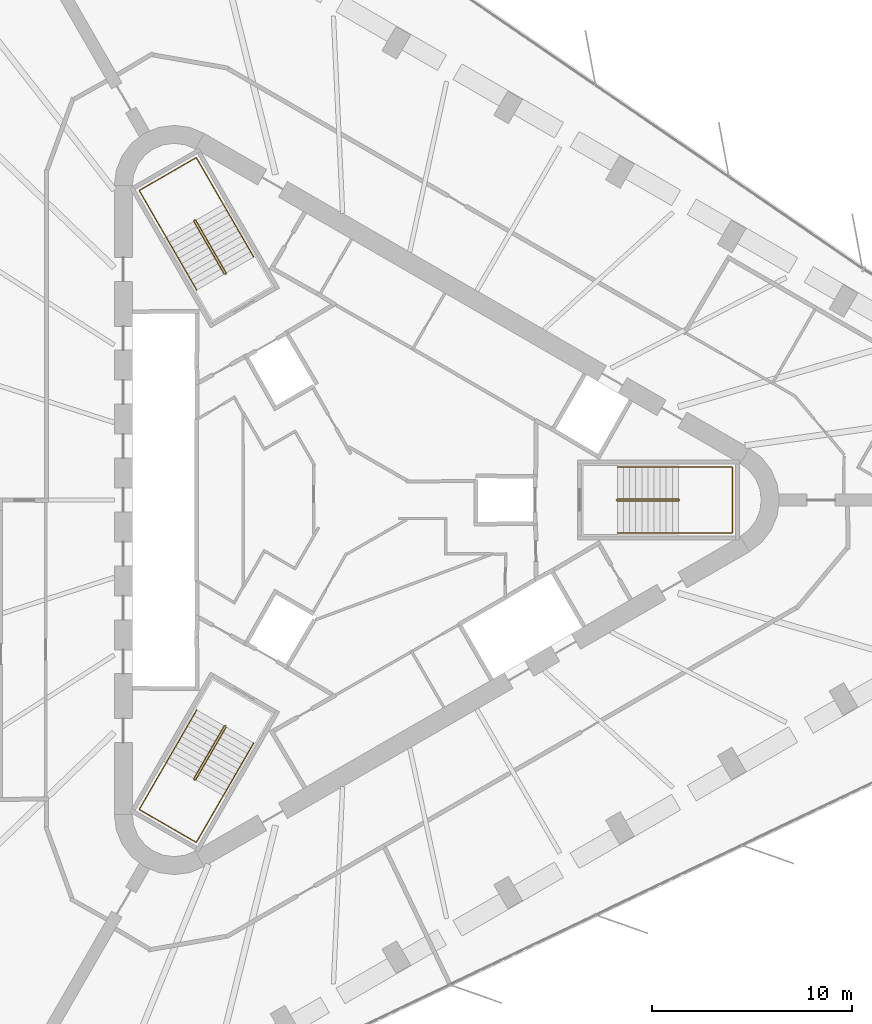
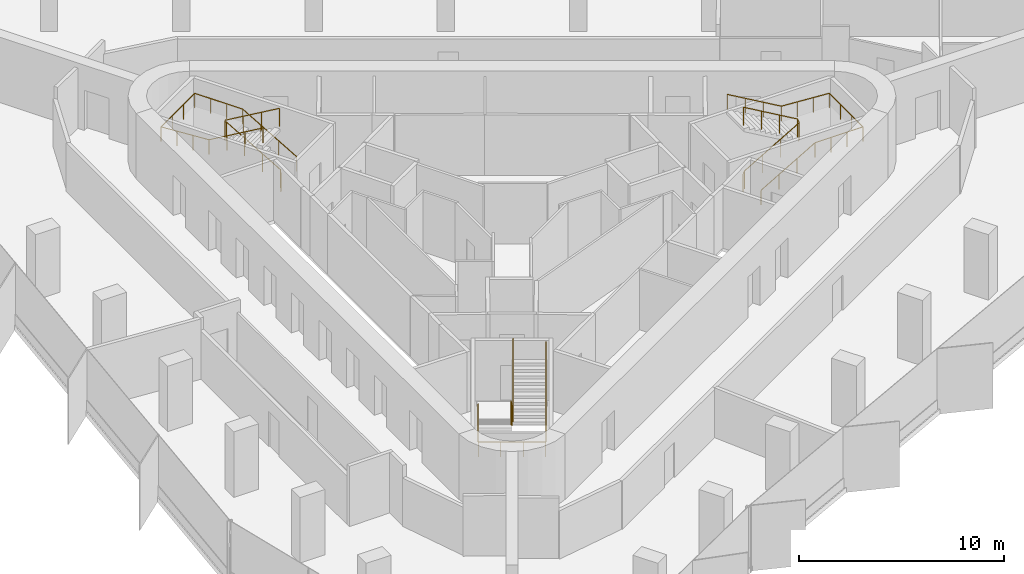
# One storey, part 14 of 14: 6 railings.
"""IFC4 building model written with IfcOpenShell, lengths in metres."""

from ifc_helpers import new_model, si_unit, direction, frame, origin, origin_2d, place, context, subcontext, project, spatial, circle, extrude, material, type_object, element, save


model = new_model("IFC4")

# Units and contexts
model_context = context("Model", 3, precision=1e-05, world=origin(), true_north=direction((0.0, 1.0)))
body_context = subcontext(model_context, "Body", "Model", "MODEL_VIEW")
ifc_project = project(units=[si_unit("LENGTHUNIT", "METRE"), si_unit("AREAUNIT", "SQUARE_METRE"), si_unit("VOLUMEUNIT", "CUBIC_METRE"), si_unit("PLANEANGLEUNIT", "RADIAN"), si_unit("MASSUNIT", "GRAM", prefix="KILO")], contexts=[model_context])

# Site, building, storey
site_placement = place(None, origin())
site = spatial("IfcSite", under=ifc_project, at=site_placement, CompositionType="ELEMENT")
building_placement = place(site_placement, origin())
building = spatial("IfcBuilding", under=site, at=building_placement, Name="Tanit Gate Tower", CompositionType="ELEMENT")
storey_placement = place(building_placement, frame((0.0, 0.0, 298.699951171875)))
storey = spatial("IfcBuildingStorey", under=building, at=storey_placement, Name="L66", CompositionType="ELEMENT", Elevation=298.699951171875)

# Railings
ifc_material_1 = material(Name="Stainless steel balustrade", Category="steel")
railing_type_1 = type_object("IfcRailingType", Name="INT-STAIR-GUARD", PredefinedType="GUARDRAIL", material=ifc_material_1)
railing_1_placement = place(storey_placement, frame((13.044921875, 0.0048828125, 0.0)))
element("IfcRailing", 1, at=railing_1_placement, inside=storey, type_object=railing_type_1, Name="L66 S1 stair guard 1", PredefinedType="GUARDRAIL", context=body_context, shape_type="SweptSolid", body=[
    extrude(circle(Radius=0.02392578125, at=origin_2d()), frame((0.0, 0.0, 1.076171875), z_axis=(0.0, -1.0, 0.0), x_axis=(1.0, 0.0, 0.0)), (0.0, 0.0, 1.0), 0.009765625),
    extrude(circle(Radius=0.02392578125, at=origin_2d()), frame((0.0, -0.009765625, 1.076171875), z_axis=(0.262233686654, -0.262233686654, 0.928691007369), x_axis=(0.707106781187, 0.707106781187, 0.0)), (0.0, 0.0, 1.0), 0.19091796875),
    extrude(circle(Radius=0.02392578125, at=origin_2d()), frame((0.050048828125, -0.059814453125, 1.25341796875), z_axis=(0.864648382064, 0.0, 0.502377522779), x_axis=(0.0, 1.0, 0.0)), (0.0, 0.0, 1.0), 3.528564453125),
    extrude(circle(Radius=0.02392578125, at=origin_2d()), frame((3.10107421875, -0.059814453125, 3.02587890625), z_axis=(0.707106781187, 0.707106781187, 0.0), x_axis=(-0.707106781187, 0.707106781187, 0.0)), (0.0, 0.0, 1.0), 0.07080078125),
    extrude(circle(Radius=0.02392578125, at=origin_2d()), frame((3.151123046875, -0.009765625, 3.02587890625), z_axis=(0.0, 1.0, 0.0), x_axis=(-1.0, 0.0, 0.0)), (0.0, 0.0, 1.0), 0.009765625),
    extrude(circle(Radius=0.02392578125, at=origin_2d()), frame((3.151123046875, 0.0, 3.02587890625), z_axis=(-0.261922500866, 0.261922500866, 0.928866625022), x_axis=(-0.707106781187, -0.707106781187, 0.0)), (0.0, 0.0, 1.0), 0.191162109375),
    extrude(circle(Radius=0.02392578125, at=origin_2d()), frame((3.10107421875, 0.050048828125, 3.20361328125), z_axis=(-0.864648382064, 0.0, 0.502377522779), x_axis=(0.0, -1.0, 0.0)), (0.0, 0.0, 1.0), 3.528564453125),
    extrude(circle(Radius=0.02099609375, at=origin_2d()), origin(), (0.0, 0.0, 1.0), 1.052001953125),
    extrude(circle(Radius=0.02099609375, at=origin_2d()), frame((0.0, -0.009765625, 0.0)), (0.0, 0.0, 1.0), 1.052001953125),
    extrude(circle(Radius=0.02099609375, at=origin_2d()), frame((0.050048828125, -0.059814453125, 0.17724609375)), (0.0, 0.0, 1.0), 1.052001953125),
    extrude(circle(Radius=0.02099609375, at=origin_2d()), frame((1.067138671875, -0.059814453125, 0.76806640625)), (0.0, 0.0, 1.0), 1.052001953125),
    extrude(circle(Radius=0.02099609375, at=origin_2d()), frame((2.083984375, -0.059814453125, 1.359130859375)), (0.0, 0.0, 1.0), 1.052001953125),
    extrude(circle(Radius=0.02099609375, at=origin_2d()), frame((3.10107421875, -0.059814453125, 1.949951171875)), (0.0, 0.0, 1.0), 1.052001953125),
    extrude(circle(Radius=0.02099609375, at=origin_2d()), frame((3.151123046875, -0.009765625, 1.949951171875)), (0.0, 0.0, 1.0), 1.052001953125),
    extrude(circle(Radius=0.02099609375, at=origin_2d()), frame((3.151123046875, 0.0, 1.949951171875)), (0.0, 0.0, 1.0), 1.052001953125),
    extrude(circle(Radius=0.02099609375, at=origin_2d()), frame((3.10107421875, 0.050048828125, 2.12744140625)), (0.0, 0.0, 1.0), 1.052001953125),
    extrude(circle(Radius=0.02099609375, at=origin_2d()), frame((2.083984375, 0.050048828125, 2.71826171875)), (0.0, 0.0, 1.0), 1.052001953125),
    extrude(circle(Radius=0.02099609375, at=origin_2d()), frame((1.067138671875, 0.050048828125, 3.309326171875)), (0.0, 0.0, 1.0), 1.052001953125),
    extrude(circle(Radius=0.02099609375, at=origin_2d()), frame((0.050048828125, 0.050048828125, 3.900146484375)), (0.0, 0.0, 1.0), 1.052001953125),
])
railing_2_placement = place(storey_placement, frame((-6.527099609375, 11.29345703125, 0.0)))
element("IfcRailing", 2, at=railing_2_placement, inside=storey, type_object=railing_type_1, Name="L66 S2 stair guard 1", PredefinedType="GUARDRAIL", context=body_context, shape_type="SweptSolid", body=[
    extrude(circle(Radius=0.02392578125, at=origin_2d()), frame((0.0, 0.0, 1.076171875), z_axis=(0.868243142124, 0.496138938357, 0.0), x_axis=(-0.496138938357, 0.868243142124, 0.0)), (0.0, 0.0, 1.0), 0.01171875),
    extrude(circle(Radius=0.02392578125, at=origin_2d()), frame((0.01025390625, 0.005859375, 1.076171875), z_axis=(0.095941116058, 0.358180166617, 0.928710003441), x_axis=(-0.965948051503, 0.258736085224, 0.0)), (0.0, 0.0, 1.0), 0.19091796875),
    extrude(circle(Radius=0.02392578125, at=origin_2d()), frame((0.028564453125, 0.07421875, 1.25341796875), z_axis=(-0.4322777601, 0.748681545756, 0.50260509465), x_axis=(-0.866012246495, -0.500022788402, 0.0)), (0.0, 0.0, 1.0), 3.527099609375),
    extrude(circle(Radius=0.02392578125, at=origin_2d()), frame((-1.49609375, 2.71484375, 3.02587890625), z_axis=(-0.965715946433, 0.259601060869, 0.0), x_axis=(-0.259601060869, -0.965715946433, 0.0)), (0.0, 0.0, 1.0), 0.070556640625),
    extrude(circle(Radius=0.02392578125, at=origin_2d()), frame((-1.564208984375, 2.733154296875, 3.02587890625), z_axis=(-0.873197702015, -0.487366159264, 0.0), x_axis=(0.487366159264, -0.873197702015, 0.0)), (0.0, 0.0, 1.0), 0.011962890625),
    extrude(circle(Radius=0.02392578125, at=origin_2d()), frame((-1.57470703125, 2.727294921875, 3.02587890625), z_axis=(-0.095827260621, -0.357755106318, 0.928885579619), x_axis=(0.965948051503, -0.258736085224, 0.0)), (0.0, 0.0, 1.0), 0.191162109375),
    extrude(circle(Radius=0.02392578125, at=origin_2d()), frame((-1.593017578125, 2.658935546875, 3.20361328125), z_axis=(0.4322777601, -0.748681545756, 0.50260509465), x_axis=(0.866012246495, 0.500022788402, 0.0)), (0.0, 0.0, 1.0), 3.527099609375),
    extrude(circle(Radius=0.02099609375, at=origin_2d()), origin(), (0.0, 0.0, 1.0), 1.052001953125),
    extrude(circle(Radius=0.02099609375, at=origin_2d()), frame((0.01025390625, 0.005859375, 0.0)), (0.0, 0.0, 1.0), 1.052001953125),
    extrude(circle(Radius=0.02099609375, at=origin_2d()), frame((0.028564453125, 0.07421875, 0.17724609375)), (0.0, 0.0, 1.0), 1.052001953125),
    extrude(circle(Radius=0.02099609375, at=origin_2d()), frame((-0.479736328125, 0.954345703125, 0.76806640625)), (0.0, 0.0, 1.0), 1.052001953125),
    extrude(circle(Radius=0.02099609375, at=origin_2d()), frame((-0.98779296875, 1.834716796875, 1.359130859375)), (0.0, 0.0, 1.0), 1.052001953125),
    extrude(circle(Radius=0.02099609375, at=origin_2d()), frame((-1.49609375, 2.71484375, 1.949951171875)), (0.0, 0.0, 1.0), 1.052001953125),
    extrude(circle(Radius=0.02099609375, at=origin_2d()), frame((-1.564208984375, 2.733154296875, 1.949951171875)), (0.0, 0.0, 1.0), 1.052001953125),
    extrude(circle(Radius=0.02099609375, at=origin_2d()), frame((-1.57470703125, 2.727294921875, 1.949951171875)), (0.0, 0.0, 1.0), 1.052001953125),
    extrude(circle(Radius=0.02099609375, at=origin_2d()), frame((-1.593017578125, 2.658935546875, 2.12744140625)), (0.0, 0.0, 1.0), 1.052001953125),
    extrude(circle(Radius=0.02099609375, at=origin_2d()), frame((-1.084716796875, 1.77880859375, 2.71826171875)), (0.0, 0.0, 1.0), 1.052001953125),
    extrude(circle(Radius=0.02099609375, at=origin_2d()), frame((-0.57666015625, 0.8984375, 3.309326171875)), (0.0, 0.0, 1.0), 1.052001953125),
    extrude(circle(Radius=0.02099609375, at=origin_2d()), frame((-0.068359375, 0.018310546875, 3.900146484375)), (0.0, 0.0, 1.0), 1.052001953125),
])
railing_3_placement = place(storey_placement, frame((-6.51806640625, -11.2998046875, 0.0)))
element("IfcRailing", 3, at=railing_3_placement, inside=storey, type_object=railing_type_1, Name="L66 S3 stair guard 1", PredefinedType="GUARDRAIL", context=body_context, shape_type="SweptSolid", body=[
    extrude(circle(Radius=0.02392578125, at=origin_2d()), frame((0.0, 0.0, 1.076171875), z_axis=(-0.874157276122, 0.485642931179, 0.0), x_axis=(-0.485642931179, -0.874157276122, 0.0)), (0.0, 0.0, 1.0), 0.010009765625),
    extrude(circle(Radius=0.02392578125, at=origin_2d()), frame((-0.0087890625, 0.0048828125, 1.076171875), z_axis=(-0.358223840744, -0.094673443625, 0.928823244215), x_axis=(0.255512919477, -0.966805641264, 0.0)), (0.0, 0.0, 1.0), 0.19091796875),
    extrude(circle(Radius=0.02392578125, at=origin_2d()), frame((-0.0771484375, -0.01318359375, 1.25341796875), z_axis=(-0.432289778901, -0.748827189027, 0.502377734411), x_axis=(0.866048339477, -0.499960272111, 0.0)), (0.0, 0.0, 1.0), 3.528564453125),
    extrude(circle(Radius=0.02392578125, at=origin_2d()), frame((-1.6025390625, -2.655517578125, 3.02587890625), z_axis=(0.258736085224, -0.965948051503, 0.0), x_axis=(0.965948051503, 0.258736085224, 0.0)), (0.0, 0.0, 1.0), 0.07080078125),
    extrude(circle(Radius=0.02392578125, at=origin_2d()), frame((-1.584228515625, -2.723876953125, 3.02587890625), z_axis=(0.868243142124, -0.496138938357, 0.0), x_axis=(0.496138938357, 0.868243142124, 0.0)), (0.0, 0.0, 1.0), 0.009765625),
    extrude(circle(Radius=0.02392578125, at=origin_2d()), frame((-1.57568359375, -2.728759765625, 3.02587890625), z_axis=(0.357755106318, 0.095827260621, 0.928885579619), x_axis=(-0.258736085224, 0.965948051503, 0.0)), (0.0, 0.0, 1.0), 0.191162109375),
    extrude(circle(Radius=0.02392578125, at=origin_2d()), frame((-1.50732421875, -2.71044921875, 3.20361328125), z_axis=(0.432368434633, 0.748774395838, 0.502388734816), x_axis=(-0.865993683553, 0.500054937028, 0.0)), (0.0, 0.0, 1.0), 3.528564453125),
    extrude(circle(Radius=0.02099609375, at=origin_2d()), origin(), (0.0, 0.0, 1.0), 1.052001953125),
    extrude(circle(Radius=0.02099609375, at=origin_2d()), frame((-0.0087890625, 0.0048828125, 0.0)), (0.0, 0.0, 1.0), 1.052001953125),
    extrude(circle(Radius=0.02099609375, at=origin_2d()), frame((-0.0771484375, -0.01318359375, 0.17724609375)), (0.0, 0.0, 1.0), 1.052001953125),
    extrude(circle(Radius=0.02099609375, at=origin_2d()), frame((-0.585693359375, -0.89404296875, 0.76806640625)), (0.0, 0.0, 1.0), 1.052001953125),
    extrude(circle(Radius=0.02099609375, at=origin_2d()), frame((-1.093994140625, -1.774658203125, 1.359130859375)), (0.0, 0.0, 1.0), 1.052001953125),
    extrude(circle(Radius=0.02099609375, at=origin_2d()), frame((-1.6025390625, -2.655517578125, 1.949951171875)), (0.0, 0.0, 1.0), 1.052001953125),
    extrude(circle(Radius=0.02099609375, at=origin_2d()), frame((-1.584228515625, -2.723876953125, 1.949951171875)), (0.0, 0.0, 1.0), 1.052001953125),
    extrude(circle(Radius=0.02099609375, at=origin_2d()), frame((-1.57568359375, -2.728759765625, 1.949951171875)), (0.0, 0.0, 1.0), 1.052001953125),
    extrude(circle(Radius=0.02099609375, at=origin_2d()), frame((-1.50732421875, -2.71044921875, 2.12744140625)), (0.0, 0.0, 1.0), 1.052001953125),
    extrude(circle(Radius=0.02099609375, at=origin_2d()), frame((-0.998779296875, -1.829833984375, 2.71826171875)), (0.0, 0.0, 1.0), 1.052001953125),
    extrude(circle(Radius=0.02099609375, at=origin_2d()), frame((-0.490234375, -0.948974609375, 3.309326171875)), (0.0, 0.0, 1.0), 1.052001953125),
    extrude(circle(Radius=0.02099609375, at=origin_2d()), frame((0.018310546875, -0.068359375, 3.900146484375)), (0.0, 0.0, 1.0), 1.052001953125),
])
ifc_material_2 = material(Name="Stainless steel handrail", Category="steel")
railing_type_2 = type_object("IfcRailingType", Name="INT-STAIR-HANDRAIL", PredefinedType="HANDRAIL", material=ifc_material_2)
railing_4_placement = place(storey_placement, frame((13.094970703125, -1.64990234375, 0.17724609375)))
element("IfcRailing", 4, at=railing_4_placement, inside=storey, type_object=railing_type_2, Name="L66 S1 stair handrail 1", PredefinedType="HANDRAIL", context=body_context, shape_type="SweptSolid", body=[
    extrude(circle(Radius=0.02392578125, at=origin_2d()), frame((0.0, 0.0, 0.8759765625), z_axis=(0.864648382064, 0.0, 0.502377522779), x_axis=(0.0, 1.0, 0.0)), (0.0, 0.0, 1.0), 3.528564453125),
    extrude(circle(Radius=0.02392578125, at=origin_2d()), frame((3.051025390625, 0.0, 2.6484375), z_axis=(1.0, 0.0, 0.0), x_axis=(0.0, 1.0, 0.0)), (0.0, 0.0, 1.0), 2.7041015625),
    extrude(circle(Radius=0.02392578125, at=origin_2d()), frame((5.755126953125, 0.0, 2.6484375), z_axis=(0.0, 1.0, 0.0), x_axis=(-1.0, 0.0, 0.0)), (0.0, 0.0, 1.0), 3.2998046875),
    extrude(circle(Radius=0.02392578125, at=origin_2d()), frame((5.755126953125, 3.2998046875, 2.6484375), z_axis=(-0.997852800478, 0.0, 0.065496477604), x_axis=(0.0, -1.0, 0.0)), (0.0, 0.0, 1.0), 2.7099609375),
    extrude(circle(Radius=0.02392578125, at=origin_2d()), frame((3.051025390625, 3.2998046875, 2.826171875), z_axis=(-0.864648382064, 0.0, 0.502377522779), x_axis=(0.0, -1.0, 0.0)), (0.0, 0.0, 1.0), 3.528564453125),
    extrude(circle(Radius=0.02099609375, at=origin_2d()), origin(), (0.0, 0.0, 1.0), 0.851806640625),
    extrude(circle(Radius=0.02099609375, at=origin_2d()), frame((1.01708984375, 0.0, 0.5908203125)), (0.0, 0.0, 1.0), 0.851806640625),
    extrude(circle(Radius=0.02099609375, at=origin_2d()), frame((2.033935546875, 0.0, 1.181884765625)), (0.0, 0.0, 1.0), 0.851806640625),
    extrude(circle(Radius=0.02099609375, at=origin_2d()), frame((3.051025390625, 0.0, 1.772705078125)), (0.0, 0.0, 1.0), 0.851806640625),
    extrude(circle(Radius=0.02099609375, at=origin_2d()), frame((3.952392578125, 0.0, 1.772705078125)), (0.0, 0.0, 1.0), 0.851806640625),
    extrude(circle(Radius=0.02099609375, at=origin_2d()), frame((4.853759765625, 0.0, 1.772705078125)), (0.0, 0.0, 1.0), 0.851806640625),
    extrude(circle(Radius=0.02099609375, at=origin_2d()), frame((5.755126953125, 0.0, 1.772705078125)), (0.0, 0.0, 1.0), 0.851806640625),
    extrude(circle(Radius=0.02099609375, at=origin_2d()), frame((5.755126953125, 1.099853515625, 1.772705078125)), (0.0, 0.0, 1.0), 0.851806640625),
    extrude(circle(Radius=0.02099609375, at=origin_2d()), frame((5.755126953125, 2.199951171875, 1.772705078125)), (0.0, 0.0, 1.0), 0.851806640625),
    extrude(circle(Radius=0.02099609375, at=origin_2d()), frame((5.755126953125, 3.2998046875, 1.772705078125)), (0.0, 0.0, 1.0), 0.851806640625),
    extrude(circle(Radius=0.02099609375, at=origin_2d()), frame((4.853759765625, 3.2998046875, 1.831787109375)), (0.0, 0.0, 1.0), 0.851806640625),
    extrude(circle(Radius=0.02099609375, at=origin_2d()), frame((3.952392578125, 3.2998046875, 1.89111328125)), (0.0, 0.0, 1.0), 0.851806640625),
    extrude(circle(Radius=0.02099609375, at=origin_2d()), frame((3.051025390625, 3.2998046875, 1.9501953125)), (0.0, 0.0, 1.0), 0.851806640625),
    extrude(circle(Radius=0.02099609375, at=origin_2d()), frame((2.033935546875, 3.2998046875, 2.541015625)), (0.0, 0.0, 1.0), 0.851806640625),
    extrude(circle(Radius=0.02099609375, at=origin_2d()), frame((1.01708984375, 3.2998046875, 3.132080078125)), (0.0, 0.0, 1.0), 0.851806640625),
    extrude(circle(Radius=0.02099609375, at=origin_2d()), frame((0.0, 3.2998046875, 3.722900390625)), (0.0, 0.0, 1.0), 0.851806640625),
])
railing_5_placement = place(storey_placement, frame((-5.1181640625, 12.164794921875, 0.17724609375)))
element("IfcRailing", 5, at=railing_5_placement, inside=storey, type_object=railing_type_2, Name="L66 S2 stair handrail 1", PredefinedType="HANDRAIL", context=body_context, shape_type="SweptSolid", body=[
    extrude(circle(Radius=0.02392578125, at=origin_2d()), frame((0.0, 0.0, 0.8759765625), z_axis=(-0.432221472453, 0.748703947157, 0.502620133164), x_axis=(-0.866046917185, -0.499962735845, 0.0)), (0.0, 0.0, 1.0), 3.52685546875),
    extrude(circle(Radius=0.02392578125, at=origin_2d()), frame((-1.5244140625, 2.640625, 2.6484375), z_axis=(-0.500019123664, 0.86601436245, 0.0), x_axis=(-0.86601436245, -0.500019123664, 0.0)), (0.0, 0.0, 1.0), 2.70703125),
    extrude(circle(Radius=0.02392578125, at=origin_2d()), frame((-2.8779296875, 4.98486328125, 2.6484375), z_axis=(-0.866008176907, -0.50002983664, 0.0), x_axis=(0.50002983664, -0.866008176907, 0.0)), (0.0, 0.0, 1.0), 3.300048828125),
    extrude(circle(Radius=0.02392578125, at=origin_2d()), frame((-5.73583984375, 3.334716796875, 2.6484375), z_axis=(0.498986523186, -0.864135932379, 0.065433478058), x_axis=(0.865991810323, 0.500058181068, 0.0)), (0.0, 0.0, 1.0), 2.712646484375),
    extrude(circle(Radius=0.02392578125, at=origin_2d()), frame((-4.38232421875, 0.99072265625, 2.826171875), z_axis=(0.432255358616, -0.748711963836, 0.502579048665), x_axis=(0.866032263162, 0.499988119021, 0.0)), (0.0, 0.0, 1.0), 3.527099609375),
    extrude(circle(Radius=0.02099609375, at=origin_2d()), origin(), (0.0, 0.0, 1.0), 0.851806640625),
    extrude(circle(Radius=0.02099609375, at=origin_2d()), frame((-0.508056640625, 0.880126953125, 0.5908203125)), (0.0, 0.0, 1.0), 0.851806640625),
    extrude(circle(Radius=0.02099609375, at=origin_2d()), frame((-1.016357421875, 1.760498046875, 1.181884765625)), (0.0, 0.0, 1.0), 0.851806640625),
    extrude(circle(Radius=0.02099609375, at=origin_2d()), frame((-1.5244140625, 2.640625, 1.772705078125)), (0.0, 0.0, 1.0), 0.851806640625),
    extrude(circle(Radius=0.02099609375, at=origin_2d()), frame((-1.9755859375, 3.422119140625, 1.772705078125)), (0.0, 0.0, 1.0), 0.851806640625),
    extrude(circle(Radius=0.02099609375, at=origin_2d()), frame((-2.4267578125, 4.203369140625, 1.772705078125)), (0.0, 0.0, 1.0), 0.851806640625),
    extrude(circle(Radius=0.02099609375, at=origin_2d()), frame((-2.8779296875, 4.98486328125, 1.772705078125)), (0.0, 0.0, 1.0), 0.851806640625),
    extrude(circle(Radius=0.02099609375, at=origin_2d()), frame((-3.83056640625, 4.434814453125, 1.772705078125)), (0.0, 0.0, 1.0), 0.851806640625),
    extrude(circle(Radius=0.02099609375, at=origin_2d()), frame((-4.783203125, 3.884765625, 1.772705078125)), (0.0, 0.0, 1.0), 0.851806640625),
    extrude(circle(Radius=0.02099609375, at=origin_2d()), frame((-5.73583984375, 3.334716796875, 1.772705078125)), (0.0, 0.0, 1.0), 0.851806640625),
    extrude(circle(Radius=0.02099609375, at=origin_2d()), frame((-5.28466796875, 2.553466796875, 1.831787109375)), (0.0, 0.0, 1.0), 0.851806640625),
    extrude(circle(Radius=0.02099609375, at=origin_2d()), frame((-4.83349609375, 1.77197265625, 1.89111328125)), (0.0, 0.0, 1.0), 0.851806640625),
    extrude(circle(Radius=0.02099609375, at=origin_2d()), frame((-4.38232421875, 0.99072265625, 1.9501953125)), (0.0, 0.0, 1.0), 0.851806640625),
    extrude(circle(Radius=0.02099609375, at=origin_2d()), frame((-3.8740234375, 0.1103515625, 2.541015625)), (0.0, 0.0, 1.0), 0.851806640625),
    extrude(circle(Radius=0.02099609375, at=origin_2d()), frame((-3.365966796875, -0.769775390625, 3.132080078125)), (0.0, 0.0, 1.0), 0.851806640625),
    extrude(circle(Radius=0.02099609375, at=origin_2d()), frame((-2.857666015625, -1.650146484375, 3.722900390625)), (0.0, 0.0, 1.0), 0.851806640625),
])
railing_6_placement = place(storey_placement, frame((-7.9765625, -10.515625, 0.17724609375)))
element("IfcRailing", 6, at=railing_6_placement, inside=storey, type_object=railing_type_2, Name="L66 S3 stair handrail 1", PredefinedType="HANDRAIL", context=body_context, shape_type="SweptSolid", body=[
    extrude(circle(Radius=0.02392578125, at=origin_2d()), frame((0.0, 0.0, 0.8759765625), z_axis=(-0.432289778901, -0.748827189027, 0.502377734411), x_axis=(0.866048339477, -0.499960272111, 0.0)), (0.0, 0.0, 1.0), 3.528564453125),
    extrude(circle(Radius=0.02392578125, at=origin_2d()), frame((-1.525390625, -2.642333984375, 2.6484375), z_axis=(-0.50004290449, -0.866000631449, 0.0), x_axis=(0.866000631449, -0.50004290449, 0.0)), (0.0, 0.0, 1.0), 2.703857421875),
    extrude(circle(Radius=0.02392578125, at=origin_2d()), frame((-2.87744140625, -4.98388671875, 2.6484375), z_axis=(0.866008176907, -0.50002983664, 0.0), x_axis=(0.50002983664, 0.866008176907, 0.0)), (0.0, 0.0, 1.0), 3.300048828125),
    extrude(circle(Radius=0.02392578125, at=origin_2d()), frame((-0.01953125, -6.634033203125, 2.6484375), z_axis=(0.498930182534, 0.864163653099, 0.065496974125), x_axis=(-0.866023205937, 0.500003806764, 0.0)), (0.0, 0.0, 1.0), 2.7099609375),
    extrude(circle(Radius=0.02392578125, at=origin_2d()), frame((1.33251953125, -4.292236328125, 2.826171875), z_axis=(0.432289778901, 0.748827189027, 0.502377734411), x_axis=(-0.866048339477, 0.499960272111, 0.0)), (0.0, 0.0, 1.0), 3.528564453125),
    extrude(circle(Radius=0.02099609375, at=origin_2d()), origin(), (0.0, 0.0, 1.0), 0.851806640625),
    extrude(circle(Radius=0.02099609375, at=origin_2d()), frame((-0.508544921875, -0.880859375, 0.5908203125)), (0.0, 0.0, 1.0), 0.851806640625),
    extrude(circle(Radius=0.02099609375, at=origin_2d()), frame((-1.016845703125, -1.761474609375, 1.181884765625)), (0.0, 0.0, 1.0), 0.851806640625),
    extrude(circle(Radius=0.02099609375, at=origin_2d()), frame((-1.525390625, -2.642333984375, 1.772705078125)), (0.0, 0.0, 1.0), 0.851806640625),
    extrude(circle(Radius=0.02099609375, at=origin_2d()), frame((-1.97607421875, -3.4228515625, 1.772705078125)), (0.0, 0.0, 1.0), 0.851806640625),
    extrude(circle(Radius=0.02099609375, at=origin_2d()), frame((-2.4267578125, -4.203369140625, 1.772705078125)), (0.0, 0.0, 1.0), 0.851806640625),
    extrude(circle(Radius=0.02099609375, at=origin_2d()), frame((-2.87744140625, -4.98388671875, 1.772705078125)), (0.0, 0.0, 1.0), 0.851806640625),
    extrude(circle(Radius=0.02099609375, at=origin_2d()), frame((-1.9248046875, -5.533935546875, 1.772705078125)), (0.0, 0.0, 1.0), 0.851806640625),
    extrude(circle(Radius=0.02099609375, at=origin_2d()), frame((-0.97216796875, -6.083984375, 1.772705078125)), (0.0, 0.0, 1.0), 0.851806640625),
    extrude(circle(Radius=0.02099609375, at=origin_2d()), frame((-0.01953125, -6.634033203125, 1.772705078125)), (0.0, 0.0, 1.0), 0.851806640625),
    extrude(circle(Radius=0.02099609375, at=origin_2d()), frame((0.43115234375, -5.853515625, 1.831787109375)), (0.0, 0.0, 1.0), 0.851806640625),
    extrude(circle(Radius=0.02099609375, at=origin_2d()), frame((0.8818359375, -5.07275390625, 1.89111328125)), (0.0, 0.0, 1.0), 0.851806640625),
    extrude(circle(Radius=0.02099609375, at=origin_2d()), frame((1.33251953125, -4.292236328125, 1.9501953125)), (0.0, 0.0, 1.0), 0.851806640625),
    extrude(circle(Radius=0.02099609375, at=origin_2d()), frame((1.841064453125, -3.411376953125, 2.541015625)), (0.0, 0.0, 1.0), 0.851806640625),
    extrude(circle(Radius=0.02099609375, at=origin_2d()), frame((2.349365234375, -2.53076171875, 3.132080078125)), (0.0, 0.0, 1.0), 0.851806640625),
    extrude(circle(Radius=0.02099609375, at=origin_2d()), frame((2.85791015625, -1.64990234375, 3.722900390625)), (0.0, 0.0, 1.0), 0.851806640625),
])

save(model, "model.ifc")
